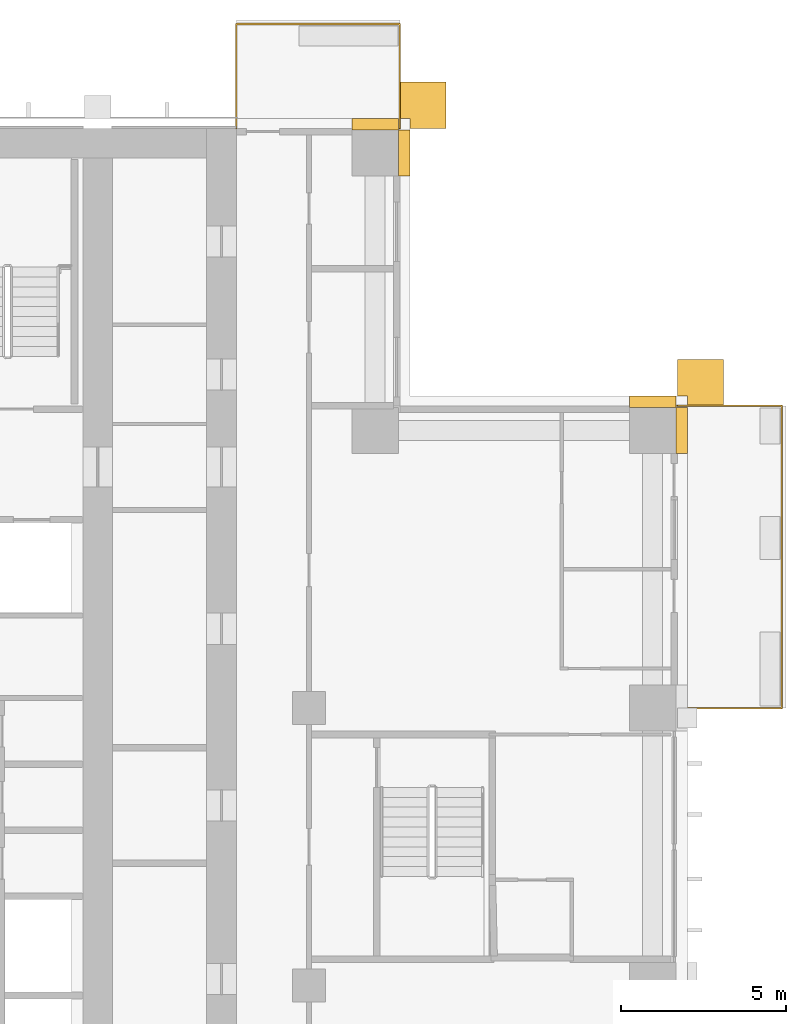
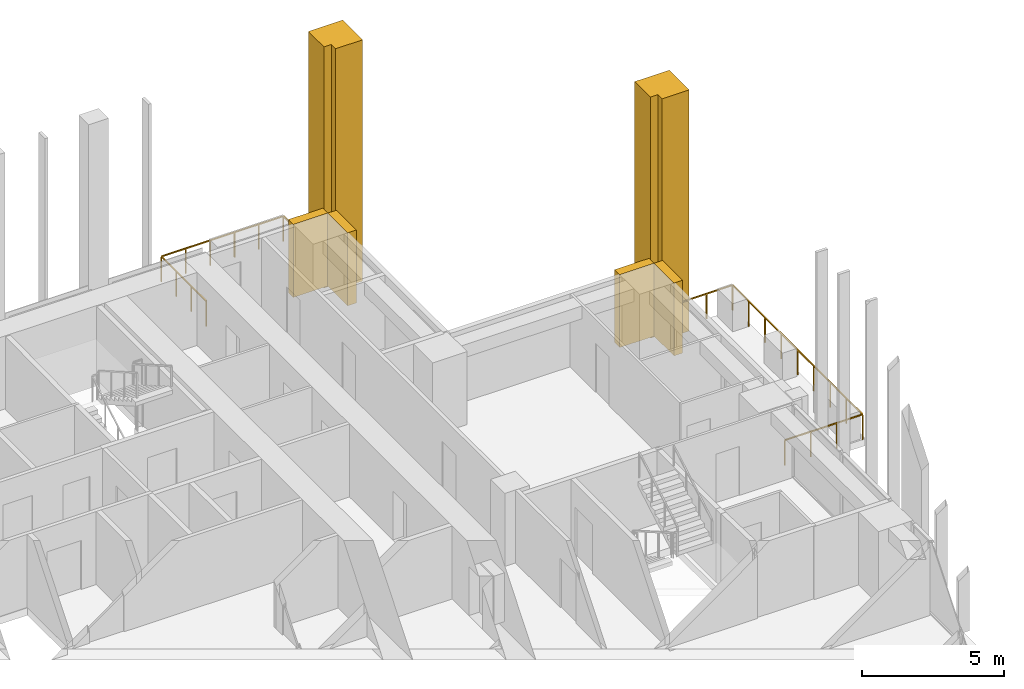
# One storey, part 17 of 17: 6 coverings, 2 railings.
"""IFC4 building model written with IfcOpenShell, lengths in metres."""

from ifc_helpers import new_model, si_unit, direction, frame, origin, origin_2d, place, context, subcontext, project, spatial, polyline, rectangle, outline, extrude, material, type_object, element, save


model = new_model("IFC4")

# Units and contexts
model_context = context("Model", 3, precision=1e-05, world=origin(), true_north=direction((0.0, 1.0)))
body_context = subcontext(model_context, "Body", "Model", "MODEL_VIEW")
ifc_project = project(units=[si_unit("LENGTHUNIT", "METRE"), si_unit("AREAUNIT", "SQUARE_METRE"), si_unit("VOLUMEUNIT", "CUBIC_METRE"), si_unit("PLANEANGLEUNIT", "RADIAN"), si_unit("MASSUNIT", "GRAM", prefix="KILO")], contexts=[model_context])

# Site, building, storey
site_placement = place(None, origin())
site = spatial("IfcSite", under=ifc_project, at=site_placement, CompositionType="ELEMENT")
building_placement = place(site_placement, origin())
building = spatial("IfcBuilding", under=site, at=building_placement, Name="Vermilion Ogive Tower", CompositionType="ELEMENT")
storey_placement = place(building_placement, frame((0.0, 0.0, 37.949951171875)))
storey = spatial("IfcBuildingStorey", under=building, at=storey_placement, Name="L07", CompositionType="ELEMENT", Elevation=37.949951171875)

# Railings
ifc_material_1 = material(Name="Stainless steel and glass", Category="steel")
railing_type = type_object("IfcRailingType", Name="Balcony guard", PredefinedType="GUARDRAIL", material=ifc_material_1)
railing_1_placement = place(storey_placement, frame((25.949951171875, 4.199951171875, -0.0400390625)))
element("IfcRailing", 1, at=railing_1_placement, inside=storey, type_object=railing_type, Name="Guard E03", PredefinedType="GUARDRAIL", context=body_context, shape_type="SweptSolid", body=[
    extrude(rectangle(XDim=0.048095703125, YDim=0.048095703125, at=origin_2d()), frame((0.0, 0.0, 1.076171875), z_axis=(1.0, 0.0, 0.0), x_axis=(0.0, 1.0, 0.0)), (0.0, 0.0, 1.0), 3.16015625),
    extrude(rectangle(XDim=0.048095703125, YDim=0.048095703125, at=origin_2d()), frame((3.16015625, 0.0, 1.076171875), z_axis=(0.0, 1.0, 0.0), x_axis=(-1.0, 0.0, 0.0)), (0.0, 0.0, 1.0), 9.150146484375),
    extrude(rectangle(XDim=0.048095703125, YDim=0.048095703125, at=origin_2d()), frame((3.16015625, 9.150146484375, 1.076171875), z_axis=(-1.0, 0.0, 0.0), x_axis=(0.0, -1.0, 0.0)), (0.0, 0.0, 1.0), 3.16015625),
    extrude(rectangle(XDim=0.0419921875, YDim=0.0419921875, at=origin_2d()), origin(), (0.0, 0.0, 1.0), 1.052001953125),
    extrude(rectangle(XDim=0.0419921875, YDim=0.0419921875, at=origin_2d()), frame((1.053466796875, 0.0, 0.0)), (0.0, 0.0, 1.0), 1.052001953125),
    extrude(rectangle(XDim=0.0419921875, YDim=0.0419921875, at=origin_2d()), frame((2.106689453125, 0.0, 0.0)), (0.0, 0.0, 1.0), 1.052001953125),
    extrude(rectangle(XDim=0.0419921875, YDim=0.0419921875, at=origin_2d()), frame((3.16015625, 0.0, 0.0)), (0.0, 0.0, 1.0), 1.052001953125),
    extrude(rectangle(XDim=0.0419921875, YDim=0.0419921875, at=origin_2d()), frame((3.16015625, 1.143798828125, 0.0)), (0.0, 0.0, 1.0), 1.052001953125),
    extrude(rectangle(XDim=0.0419921875, YDim=0.0419921875, at=origin_2d()), frame((3.16015625, 2.28759765625, 0.0)), (0.0, 0.0, 1.0), 1.052001953125),
    extrude(rectangle(XDim=0.0419921875, YDim=0.0419921875, at=origin_2d()), frame((3.16015625, 3.431396484375, 0.0)), (0.0, 0.0, 1.0), 1.052001953125),
    extrude(rectangle(XDim=0.0419921875, YDim=0.0419921875, at=origin_2d()), frame((3.16015625, 4.5751953125, 0.0)), (0.0, 0.0, 1.0), 1.052001953125),
    extrude(rectangle(XDim=0.0419921875, YDim=0.0419921875, at=origin_2d()), frame((3.16015625, 5.71875, 0.0)), (0.0, 0.0, 1.0), 1.052001953125),
    extrude(rectangle(XDim=0.0419921875, YDim=0.0419921875, at=origin_2d()), frame((3.16015625, 6.862548828125, 0.0)), (0.0, 0.0, 1.0), 1.052001953125),
    extrude(rectangle(XDim=0.0419921875, YDim=0.0419921875, at=origin_2d()), frame((3.16015625, 8.00634765625, 0.0)), (0.0, 0.0, 1.0), 1.052001953125),
    extrude(rectangle(XDim=0.0419921875, YDim=0.0419921875, at=origin_2d()), frame((3.16015625, 9.150146484375, 0.0)), (0.0, 0.0, 1.0), 1.052001953125),
    extrude(rectangle(XDim=0.0419921875, YDim=0.0419921875, at=origin_2d()), frame((2.106689453125, 9.150146484375, 0.0)), (0.0, 0.0, 1.0), 1.052001953125),
    extrude(rectangle(XDim=0.0419921875, YDim=0.0419921875, at=origin_2d()), frame((1.053466796875, 9.150146484375, 0.0)), (0.0, 0.0, 1.0), 1.052001953125),
    extrude(rectangle(XDim=0.0419921875, YDim=0.0419921875, at=origin_2d()), frame((0.0, 9.150146484375, 0.0)), (0.0, 0.0, 1.0), 1.052001953125),
])
railing_2_placement = place(storey_placement, frame((17.550048828125, 21.75, -0.0400390625)))
element("IfcRailing", 2, at=railing_2_placement, inside=storey, type_object=railing_type, Name="Guard N101", PredefinedType="GUARDRAIL", context=body_context, shape_type="SweptSolid", body=[
    extrude(rectangle(XDim=0.048095703125, YDim=0.048095703125, at=origin_2d()), frame((0.0, 0.0, 1.076171875), z_axis=(0.0, 1.0, 0.0), x_axis=(-1.0, 0.0, 0.0)), (0.0, 0.0, 1.0), 3.159912109375),
    extrude(rectangle(XDim=0.048095703125, YDim=0.048095703125, at=origin_2d()), frame((0.0, 3.159912109375, 1.076171875), z_axis=(-1.0, 0.0, 0.0), x_axis=(0.0, -1.0, 0.0)), (0.0, 0.0, 1.0), 4.949951171875),
    extrude(rectangle(XDim=0.048095703125, YDim=0.048095703125, at=origin_2d()), frame((-4.949951171875, 3.159912109375, 1.076171875), z_axis=(0.0, -1.0, 0.0), x_axis=(1.0, 0.0, 0.0)), (0.0, 0.0, 1.0), 3.159912109375),
    extrude(rectangle(XDim=0.0419921875, YDim=0.0419921875, at=origin_2d()), origin(), (0.0, 0.0, 1.0), 1.052001953125),
    extrude(rectangle(XDim=0.0419921875, YDim=0.0419921875, at=origin_2d()), frame((0.0, 1.05322265625, 0.0)), (0.0, 0.0, 1.0), 1.052001953125),
    extrude(rectangle(XDim=0.0419921875, YDim=0.0419921875, at=origin_2d()), frame((0.0, 2.106689453125, 0.0)), (0.0, 0.0, 1.0), 1.052001953125),
    extrude(rectangle(XDim=0.0419921875, YDim=0.0419921875, at=origin_2d()), frame((0.0, 3.159912109375, 0.0)), (0.0, 0.0, 1.0), 1.052001953125),
    extrude(rectangle(XDim=0.0419921875, YDim=0.0419921875, at=origin_2d()), frame((-0.989990234375, 3.159912109375, 0.0)), (0.0, 0.0, 1.0), 1.052001953125),
    extrude(rectangle(XDim=0.0419921875, YDim=0.0419921875, at=origin_2d()), frame((-1.97998046875, 3.159912109375, 0.0)), (0.0, 0.0, 1.0), 1.052001953125),
    extrude(rectangle(XDim=0.0419921875, YDim=0.0419921875, at=origin_2d()), frame((-2.969970703125, 3.159912109375, 0.0)), (0.0, 0.0, 1.0), 1.052001953125),
    extrude(rectangle(XDim=0.0419921875, YDim=0.0419921875, at=origin_2d()), frame((-3.9599609375, 3.159912109375, 0.0)), (0.0, 0.0, 1.0), 1.052001953125),
    extrude(rectangle(XDim=0.0419921875, YDim=0.0419921875, at=origin_2d()), frame((-4.949951171875, 3.159912109375, 0.0)), (0.0, 0.0, 1.0), 1.052001953125),
    extrude(rectangle(XDim=0.0419921875, YDim=0.0419921875, at=origin_2d()), frame((-4.949951171875, 2.106689453125, 0.0)), (0.0, 0.0, 1.0), 1.052001953125),
    extrude(rectangle(XDim=0.0419921875, YDim=0.0419921875, at=origin_2d()), frame((-4.949951171875, 1.05322265625, 0.0)), (0.0, 0.0, 1.0), 1.052001953125),
    extrude(rectangle(XDim=0.0419921875, YDim=0.0419921875, at=origin_2d()), frame((-4.949951171875, 0.0, 0.0)), (0.0, 0.0, 1.0), 1.052001953125),
])

# Coverings
ifc_material_2 = material(Name="Stone cladding", Category="masonry")
covering_type_1 = type_object("IfcCoveringType", Name="Stone corner buttress", PredefinedType="CLADDING", material=ifc_material_2)
covering_1_placement = place(storey_placement, frame((0.0, 0.0, -0.320068359375)))
element("IfcCovering", 3, at=covering_1_placement, inside=storey, type_object=covering_type_1, Name="Stone corner buttress X31", PredefinedType="CLADDING", context=body_context, shape_type="SweptSolid", body=[
    extrude(outline(polyline([(27.35009765625, 13.35009765625), (26.25, 13.35009765625), (26.25, 13.64990234375), (25.949951171875, 13.64990234375), (25.949951171875, 14.75), (27.35009765625, 14.75), (27.35009765625, 13.35009765625)])), origin(), (0.0, 0.0, 1.0), 10.35009765625),
])
covering_2_placement = place(storey_placement, frame((0.0, 0.0, -0.320068359375)))
element("IfcCovering", 4, at=covering_2_placement, inside=storey, type_object=covering_type_1, Name="Stone corner buttress N11", PredefinedType="CLADDING", context=body_context, shape_type="SweptSolid", body=[
    extrude(outline(polyline([(17.85009765625, 22.050048828125), (17.550048828125, 22.050048828125), (17.550048828125, 23.14990234375), (18.949951171875, 23.14990234375), (18.949951171875, 21.75), (17.85009765625, 21.75), (17.85009765625, 22.050048828125)])), origin(), (0.0, 0.0, 1.0), 10.35009765625),
])
ifc_material_3 = material(Name="Stone cladding", Category="masonry")
covering_type_2 = type_object("IfcCoveringType", Name="Stone pier", PredefinedType="CLADDING", material=ifc_material_3)
covering_3_placement = place(storey_placement, origin())
element("IfcCovering", 5, at=covering_3_placement, inside=storey, type_object=covering_type_2, Name="Stone pier P+0168+210X4", PredefinedType="CLADDING", context=body_context, shape_type="SweptSolid", body=[
    extrude(outline(polyline([(17.85009765625, 21.699951171875), (17.85009765625, 20.300048828125), (17.5, 20.300048828125), (17.5, 21.699951171875), (17.85009765625, 21.699951171875)])), origin(), (0.0, 0.0, 1.0), 3.130126953125),
])
covering_4_placement = place(storey_placement, origin())
element("IfcCovering", 6, at=covering_4_placement, inside=storey, type_object=covering_type_2, Name="Stone pier P+0168+210N1", PredefinedType="CLADDING", context=body_context, shape_type="SweptSolid", body=[
    extrude(outline(polyline([(17.5, 22.050048828125), (17.5, 21.699951171875), (16.10009765625, 21.699951171875), (16.10009765625, 22.050048828125), (17.5, 22.050048828125)])), origin(), (0.0, 0.0, 1.0), 3.130126953125),
])
covering_5_placement = place(storey_placement, origin())
element("IfcCovering", 7, at=covering_5_placement, inside=storey, type_object=covering_type_2, Name="Stone pier P+0252+126E", PredefinedType="CLADDING", context=body_context, shape_type="SweptSolid", body=[
    extrude(outline(polyline([(26.25, 13.300048828125), (26.25, 11.89990234375), (25.89990234375, 11.89990234375), (25.89990234375, 13.300048828125), (26.25, 13.300048828125)])), origin(), (0.0, 0.0, 1.0), 3.130126953125),
])
covering_6_placement = place(storey_placement, origin())
element("IfcCovering", 8, at=covering_6_placement, inside=storey, type_object=covering_type_2, Name="Stone pier P+0252+126X3", PredefinedType="CLADDING", context=body_context, shape_type="SweptSolid", body=[
    extrude(outline(polyline([(25.89990234375, 13.64990234375), (25.89990234375, 13.300048828125), (24.5, 13.300048828125), (24.5, 13.64990234375), (25.89990234375, 13.64990234375)])), origin(), (0.0, 0.0, 1.0), 3.130126953125),
])

save(model, "model.ifc")
